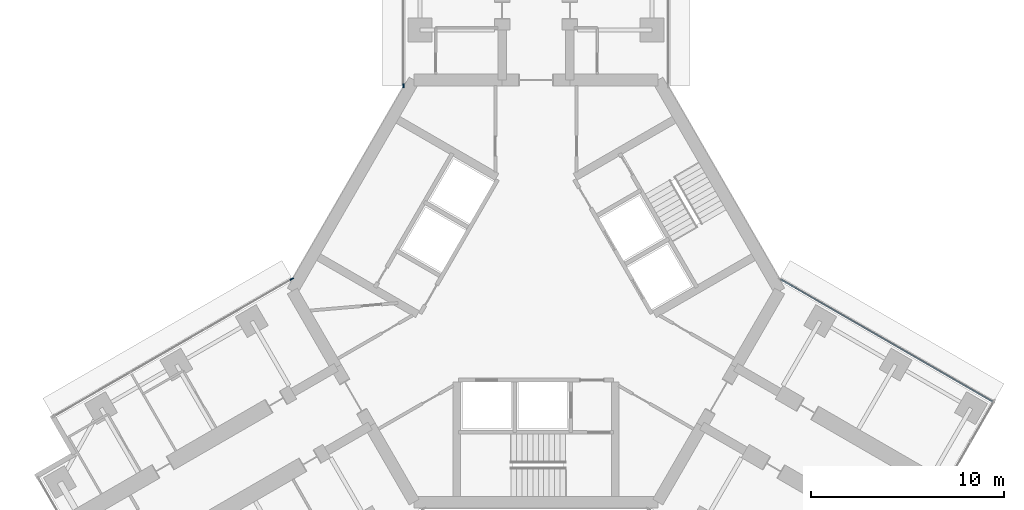
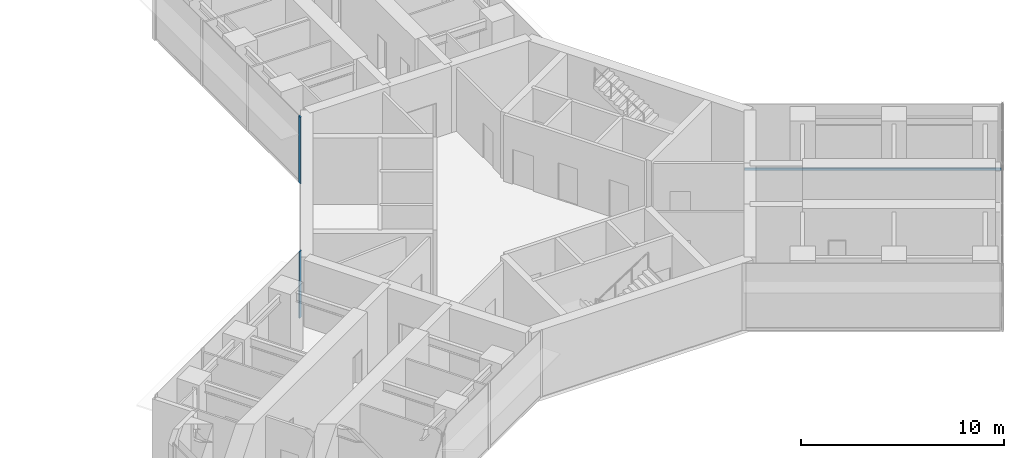
# One storey, part 9 of 23: 3 members, 3 elements without a shape of their own.
"""IFC4 building model written with IfcOpenShell, lengths in metres."""

from ifc_helpers import new_model, si_unit, direction, frame, origin, origin_2d, place, context, subcontext, project, spatial, rectangle, extrude, material, material_profile, profile_set, type_object, element, aggregate, save


model = new_model("IFC4")

# Units and contexts
model_context = context("Model", 3, precision=1e-05, world=origin(), true_north=direction((0.0, 1.0)))
body_context = subcontext(model_context, "Body", "Model", "MODEL_VIEW")
ifc_project = project(units=[si_unit("LENGTHUNIT", "METRE"), si_unit("AREAUNIT", "SQUARE_METRE"), si_unit("VOLUMEUNIT", "CUBIC_METRE"), si_unit("PLANEANGLEUNIT", "RADIAN"), si_unit("MASSUNIT", "GRAM", prefix="KILO")], contexts=[model_context])

# Site, building, storey
site_placement = place(None, origin())
site = spatial("IfcSite", under=ifc_project, at=site_placement, CompositionType="ELEMENT")
building_placement = place(site_placement, origin())
building = spatial("IfcBuilding", under=site, at=building_placement, Name="Upepo Twin Towers", CompositionType="ELEMENT")
storey_placement = place(building_placement, frame((0.0, 0.0, 157.5)))
storey = spatial("IfcBuildingStorey", under=building, at=storey_placement, Name="L38", CompositionType="ELEMENT", Elevation=157.5)

# Curtain wall, member
ifc_material_1 = material(Name="Aluminium and fritted glass", Category="aluminium")
curtain_wall_type = type_object("IfcCurtainWallType", Name="Tower curtain wall TW2, fritted glass", PredefinedType="NOTDEFINED", material=ifc_material_1)
curtain_wall_1_placement = place(storey_placement, origin())
curtain_wall_1 = element("IfcCurtainWall", 1, at=curtain_wall_1_placement, inside=storey, type_object=curtain_wall_type, Name="T2 L38 wing A flank L curtain wall", PredefinedType="NOTDEFINED")
ifc_material_2 = material(Name="Aluminium mullion", Category="aluminium")
ifc_material_profile_1 = material_profile(ifc_material_2, rectangle(XDim=0.06494140625, YDim=0.199951171875, at=origin_2d()), Name="MULLION 65x200")
ifc_profile_set_1 = profile_set([ifc_material_profile_1], Name="Aluminium mullion")
member_type_1 = type_object("IfcMemberType", Name="Mullion 65x200 TW2", PredefinedType="MULLION", material=ifc_profile_set_1)
member_1_placement = place(storey_placement, frame((51.64990234375, -7.38037109375, 0.0), z_axis=(0.0, 0.0, 1.0), x_axis=(-1.0, 0.0, 0.0)))
member_1 = element("IfcMember", 2, at=member_1_placement, type_object=member_type_1, Name="T2 L38 wing A flank L curtain wall mullion 1", PredefinedType="MULLION", context=body_context, shape_type="SweptSolid", body=[
    extrude(rectangle(XDim=0.06494140625, YDim=0.199951171875, at=origin_2d()), origin(), (0.0, 0.0, 1.0), 4.0),
])
aggregate(curtain_wall_1, [member_1])

curtain_wall_2_placement = place(storey_placement, origin())
curtain_wall_2 = element("IfcCurtainWall", 3, at=curtain_wall_2_placement, inside=storey, type_object=curtain_wall_type, Name="T2 L38 wing B flank R curtain wall", PredefinedType="NOTDEFINED")
member_2_placement = place(storey_placement, frame((45.878173828125, -17.37744140625, 0.0), z_axis=(0.0, 0.0, 1.0), x_axis=(-0.500000010308, 0.866025397833, 0.0)))
member_2 = element("IfcMember", 4, at=member_2_placement, type_object=member_type_1, Name="T2 L38 wing B flank R curtain wall mullion 4", PredefinedType="MULLION", context=body_context, shape_type="SweptSolid", body=[
    extrude(rectangle(XDim=0.06494140625, YDim=0.199951171875, at=origin_2d()), origin(), (0.0, 0.0, 1.0), 4.0),
])
aggregate(curtain_wall_2, [member_2])

curtain_wall_3_placement = place(storey_placement, origin())
curtain_wall_3 = element("IfcCurtainWall", 5, at=curtain_wall_3_placement, inside=storey, type_object=curtain_wall_type, Name="T2 L38 wing C flank L curtain wall", PredefinedType="NOTDEFINED")
ifc_material_3 = material(Name="Aluminium transom", Category="aluminium")
ifc_material_profile_2 = material_profile(ifc_material_3, rectangle(XDim=0.06494140625, YDim=0.14990234375, at=origin_2d()), Name="TRANSOM 65x150")
ifc_profile_set_2 = profile_set([ifc_material_profile_2], Name="Aluminium transom")
member_type_2 = type_object("IfcMemberType", Name="Transom 65x150 TW2", PredefinedType="USERDEFINED", material=ifc_profile_set_2)
member_3_placement = place(storey_placement, frame((71.14990234375, -17.393798828125, 0.074951171875), z_axis=(0.866027247007, -0.499996807431, 0.0), x_axis=(0.499996807431, 0.866027247007, 0.0)))
member_3 = element("IfcMember", 6, at=member_3_placement, type_object=member_type_2, Name="T2 L38 wing C flank L curtain wall transom 1", ObjectType="TRANSOM", PredefinedType="USERDEFINED", context=body_context, shape_type="SweptSolid", body=[
    extrude(rectangle(XDim=0.06494140625, YDim=0.14990234375, at=origin_2d()), origin(), (0.0, 0.0, 1.0), 12.6328125),
])
aggregate(curtain_wall_3, [member_3])

save(model, "model.ifc")
